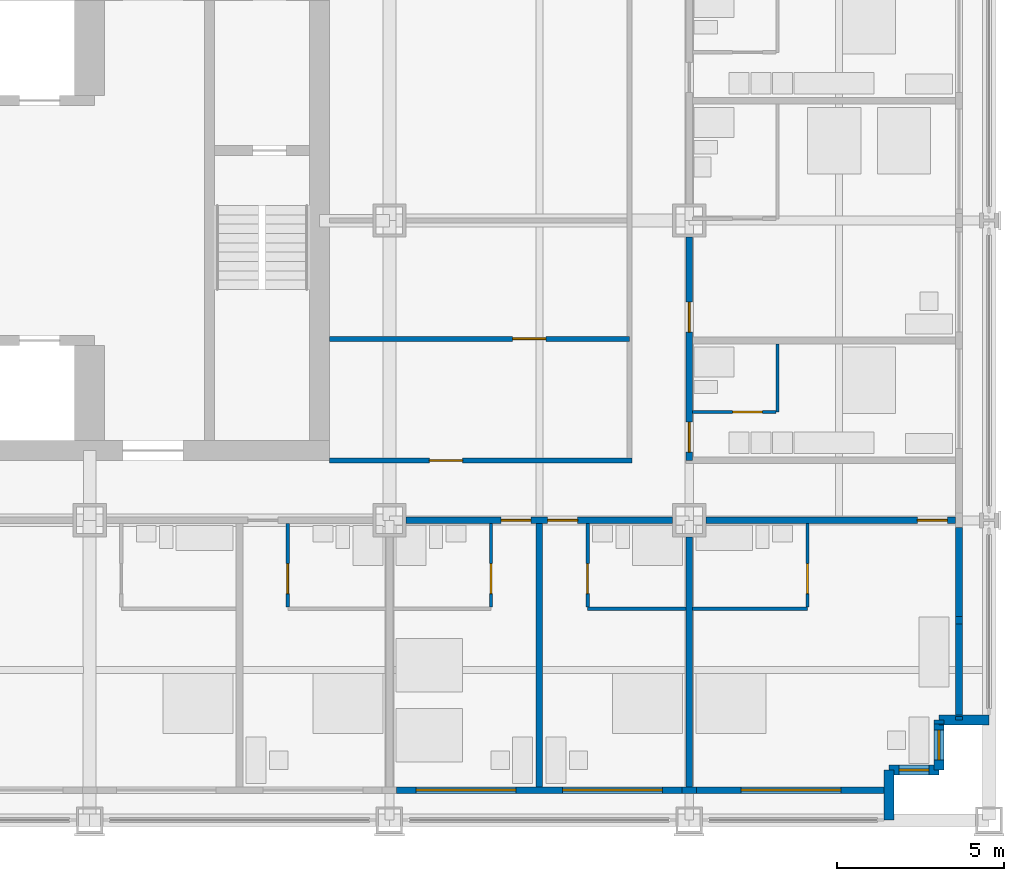
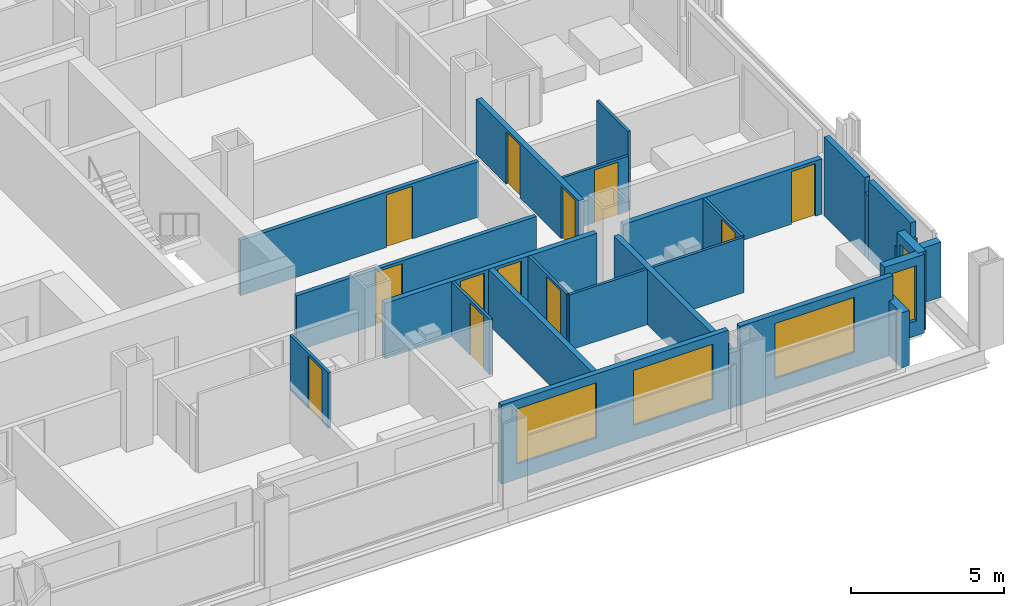
# One storey, part 13 of 19: 27 walls, 12 doors, 5 windows, 17 openings.
"""IFC4 building model written with IfcOpenShell, lengths in metres."""

from ifc_helpers import new_model, si_unit, direction, frame, frame_2d, origin, place, context, subcontext, project, spatial, rectangle, extrude, material, layer, layer_set, type_object, element, fill, save


model = new_model("IFC4")

# Units and contexts
model_context = context("Model", 3, precision=1e-05, world=origin(), true_north=direction((0.0, 1.0)))
body_context = subcontext(model_context, "Body", "Model", "MODEL_VIEW")
ifc_project = project(units=[si_unit("LENGTHUNIT", "METRE"), si_unit("AREAUNIT", "SQUARE_METRE"), si_unit("VOLUMEUNIT", "CUBIC_METRE"), si_unit("PLANEANGLEUNIT", "RADIAN"), si_unit("MASSUNIT", "GRAM", prefix="KILO")], contexts=[model_context])

# Site, building, storey
site_placement = place(None, origin())
site = spatial("IfcSite", under=ifc_project, at=site_placement, CompositionType="ELEMENT")
building_placement = place(site_placement, origin())
building = spatial("IfcBuilding", under=site, at=building_placement, Name="Loomwork Tower", CompositionType="ELEMENT")
storey_placement = place(building_placement, frame((0.0, 0.0, 85.800048828125)))
storey = spatial("IfcBuildingStorey", under=building, at=storey_placement, Name="L22", CompositionType="ELEMENT", Elevation=85.800048828125)

# Wall, openings, doors
ifc_material_1 = material(Name="Gypsum board on steel studs, one-hour", Category="steel")
ifc_layer_1 = layer(ifc_material_1, 0.199951171875)
ifc_layer_set_1 = layer_set([ifc_layer_1], Name="Corridor wall 200")
wall_type_1 = type_object("IfcWallType", Name="Corridor wall 200", PredefinedType="PARTITIONING", material=ifc_layer_set_1)
wall_1_placement = place(storey_placement, frame((36.5, 9.0, 0.0), z_axis=(0.0, 0.0, 1.0), x_axis=(1.0, 0.0, 0.0)))
wall_1 = element("IfcWall", 1, at=wall_1_placement, inside=storey, type_object=wall_type_1, Name="South corridor wall 5", PredefinedType="PARTITIONING", context=body_context, shape_type="SweptSolid", body=[
    extrude(rectangle(XDim=8.0, YDim=0.199951171875, at=frame_2d((4.0, 0.0))), origin(), (0.0, 0.0, 1.0), 2.210205078125),
])
opening_1_placement = place(wall_1_placement, frame((2.85009765625, 0.0, 0.0)))
opening_1 = element("IfcOpeningElement", 2, at=opening_1_placement, cuts=wall_1, Name="Opening D1", PredefinedType="OPENING", context=body_context, shape_type="SweptSolid", body=[
    extrude(rectangle(XDim=0.89990234375, YDim=2.10009765625, at=frame_2d((0.449951171875, 1.050048828125))), frame((0.0, 0.10986328125, 0.0), z_axis=(0.0, -1.0, 0.0), x_axis=(1.0, 0.0, 0.0)), (0.0, 0.0, 1.0), 0.219970703125),
])
opening_2_placement = place(wall_1_placement, frame((4.25, 0.0, 0.0)))
opening_2 = element("IfcOpeningElement", 3, at=opening_2_placement, cuts=wall_1, Name="Opening D1", PredefinedType="OPENING", context=body_context, shape_type="SweptSolid", body=[
    extrude(rectangle(XDim=0.89990234375, YDim=2.10009765625, at=frame_2d((0.449951171875, 1.050048828125))), frame((0.0, 0.10986328125, 0.0), z_axis=(0.0, -1.0, 0.0), x_axis=(1.0, 0.0, 0.0)), (0.0, 0.0, 1.0), 0.219970703125),
])
ifc_material_2 = material(Name="Hollow metal door and frame")
door_type_1 = type_object("IfcDoorType", Name="Guest room entry door 900", OperationType="SINGLE_SWING_LEFT", PredefinedType="DOOR", material=ifc_material_2)
door_1_placement = place(opening_1_placement, frame((0.89990234375, 0.0, 0.0), z_axis=(0.0, 0.0, 1.0), x_axis=(-1.0, 0.0, 0.0)))
door_1 = element("IfcDoor", 4, at=door_1_placement, inside=storey, type_object=door_type_1, Name="Guest room entry door L22 7", OperationType="SINGLE_SWING_LEFT", OverallHeight=2.10009765625, OverallWidth=0.89990234375, PredefinedType="DOOR", context=body_context, shape_type="SweptSolid", body=[
    extrude(rectangle(XDim=0.89990234375, YDim=2.10009765625, at=frame_2d((0.449951171875, 1.050048828125))), frame((0.0, 0.02490234375, 0.0), z_axis=(0.0, -1.0, 0.0), x_axis=(1.0, 0.0, 0.0)), (0.0, 0.0, 1.0), 0.050048828125),
])
fill(opening_1, door_1)
door_2_placement = place(opening_2_placement, frame((0.89990234375, 0.0, 0.0), z_axis=(0.0, 0.0, 1.0), x_axis=(-1.0, 0.0, 0.0)))
door_2 = element("IfcDoor", 5, at=door_2_placement, inside=storey, type_object=door_type_1, Name="Guest room entry door L22 8", OperationType="SINGLE_SWING_RIGHT", OverallHeight=2.10009765625, OverallWidth=0.89990234375, PredefinedType="DOOR", context=body_context, shape_type="SweptSolid", body=[
    extrude(rectangle(XDim=0.89990234375, YDim=2.10009765625, at=frame_2d((0.449951171875, 1.050048828125))), frame((0.0, 0.02490234375, 0.0), z_axis=(0.0, -1.0, 0.0), x_axis=(1.0, 0.0, 0.0)), (0.0, 0.0, 1.0), 0.050048828125),
])
fill(opening_2, door_2)

# Wall, opening, door
wall_2_placement = place(storey_placement, frame((45.5, 9.0, 0.0), z_axis=(0.0, 0.0, 1.0), x_axis=(1.0, 0.0, 0.0)))
wall_2 = element("IfcWall", 6, at=wall_2_placement, inside=storey, type_object=wall_type_1, Name="South corridor wall 6", PredefinedType="PARTITIONING", context=body_context, shape_type="SweptSolid", body=[
    extrude(rectangle(XDim=7.5, YDim=0.199951171875, at=frame_2d((3.75, 0.0))), origin(), (0.0, 0.0, 1.0), 2.210205078125),
])
opening_3_placement = place(wall_2_placement, frame((6.35009765625, 0.0, 0.0)))
opening_3 = element("IfcOpeningElement", 7, at=opening_3_placement, cuts=wall_2, Name="Opening D1", PredefinedType="OPENING", context=body_context, shape_type="SweptSolid", body=[
    extrude(rectangle(XDim=0.89990234375, YDim=2.10009765625, at=frame_2d((0.449951171875, 1.050048828125))), frame((0.0, 0.10986328125, 0.0), z_axis=(0.0, -1.0, 0.0), x_axis=(1.0, 0.0, 0.0)), (0.0, 0.0, 1.0), 0.219970703125),
])
door_3_placement = place(opening_3_placement, frame((0.89990234375, 0.0, 0.0), z_axis=(0.0, 0.0, 1.0), x_axis=(-1.0, 0.0, 0.0)))
door_3 = element("IfcDoor", 8, at=door_3_placement, inside=storey, type_object=door_type_1, Name="Guest room entry door L22 9", OperationType="SINGLE_SWING_LEFT", OverallHeight=2.10009765625, OverallWidth=0.89990234375, PredefinedType="DOOR", context=body_context, shape_type="SweptSolid", body=[
    extrude(rectangle(XDim=0.89990234375, YDim=2.10009765625, at=frame_2d((0.449951171875, 1.050048828125))), frame((0.0, 0.02490234375, 0.0), z_axis=(0.0, -1.0, 0.0), x_axis=(1.0, 0.0, 0.0)), (0.0, 0.0, 1.0), 0.050048828125),
])
fill(opening_3, door_3)

# Wall, openings, doors
wall_3_placement = place(storey_placement, frame((45.0, 10.800048828125, 0.0), z_axis=(0.0, 0.0, 1.0), x_axis=(0.0, 1.0, 0.0)))
wall_3 = element("IfcWall", 9, at=wall_3_placement, inside=storey, type_object=wall_type_1, Name="East corridor wall 1", PredefinedType="PARTITIONING", context=body_context, shape_type="SweptSolid", body=[
    extrude(rectangle(XDim=6.699951171875, YDim=0.199951171875, at=frame_2d((3.35009765625, 0.0))), origin(), (0.0, 0.0, 1.0), 2.210205078125),
])
opening_4_placement = place(wall_3_placement, frame((0.25, 0.0, 0.0)))
opening_4 = element("IfcOpeningElement", 10, at=opening_4_placement, cuts=wall_3, Name="Opening D1", PredefinedType="OPENING", context=body_context, shape_type="SweptSolid", body=[
    extrude(rectangle(XDim=0.89990234375, YDim=2.10009765625, at=frame_2d((0.449951171875, 1.050048828125))), frame((0.0, 0.10986328125, 0.0), z_axis=(0.0, -1.0, 0.0), x_axis=(1.0, 0.0, 0.0)), (0.0, 0.0, 1.0), 0.219970703125),
])
opening_5_placement = place(wall_3_placement, frame((3.85009765625, 0.0, 0.0)))
opening_5 = element("IfcOpeningElement", 11, at=opening_5_placement, cuts=wall_3, Name="Opening D1", PredefinedType="OPENING", context=body_context, shape_type="SweptSolid", body=[
    extrude(rectangle(XDim=0.89990234375, YDim=2.10009765625, at=frame_2d((0.449951171875, 1.050048828125))), frame((0.0, 0.10986328125, 0.0), z_axis=(0.0, -1.0, 0.0), x_axis=(1.0, 0.0, 0.0)), (0.0, 0.0, 1.0), 0.219970703125),
])
door_4_placement = place(opening_4_placement, frame((0.89990234375, 0.0, 0.0), z_axis=(0.0, 0.0, 1.0), x_axis=(-1.0, 0.0, 0.0)))
door_4 = element("IfcDoor", 12, at=door_4_placement, inside=storey, type_object=door_type_1, Name="Guest room entry door L22 21", OperationType="SINGLE_SWING_RIGHT", OverallHeight=2.10009765625, OverallWidth=0.89990234375, PredefinedType="DOOR", context=body_context, shape_type="SweptSolid", body=[
    extrude(rectangle(XDim=0.89990234375, YDim=2.10009765625, at=frame_2d((0.449951171875, 1.050048828125))), frame((0.0, 0.02490234375, 0.0), z_axis=(0.0, -1.0, 0.0), x_axis=(1.0, 0.0, 0.0)), (0.0, 0.0, 1.0), 0.050048828125),
])
fill(opening_4, door_4)
door_5_placement = place(opening_5_placement, frame((0.89990234375, 0.0, 0.0), z_axis=(0.0, 0.0, 1.0), x_axis=(-1.0, 0.0, 0.0)))
door_5 = element("IfcDoor", 13, at=door_5_placement, inside=storey, type_object=door_type_1, Name="Guest room entry door L22 22", OperationType="SINGLE_SWING_RIGHT", OverallHeight=2.10009765625, OverallWidth=0.89990234375, PredefinedType="DOOR", context=body_context, shape_type="SweptSolid", body=[
    extrude(rectangle(XDim=0.89990234375, YDim=2.10009765625, at=frame_2d((0.449951171875, 1.050048828125))), frame((0.0, 0.02490234375, 0.0), z_axis=(0.0, -1.0, 0.0), x_axis=(1.0, 0.0, 0.0)), (0.0, 0.0, 1.0), 0.050048828125),
])
fill(opening_5, door_5)

# Wall, opening, door
ifc_material_3 = material(Name="Cement board on steel studs", Category="steel")
ifc_layer_2 = layer(ifc_material_3, 0.10009765625)
ifc_layer_set_2 = layer_set([ifc_layer_2], Name="En-suite partition 100")
wall_type_2 = type_object("IfcWallType", Name="En-suite partition 100", PredefinedType="PARTITIONING", material=ifc_layer_set_2)
wall_4_placement = place(storey_placement, frame((32.949951171875, 8.89990234375, 0.0), z_axis=(0.0, 0.0, 1.0), x_axis=(0.0, -1.0, 0.0)))
wall_4 = element("IfcWall", 14, at=wall_4_placement, inside=storey, type_object=wall_type_2, Name="En-suite side wall L22 room 6", PredefinedType="PARTITIONING", context=body_context, shape_type="SweptSolid", body=[
    extrude(rectangle(XDim=2.5, YDim=0.10009765625, at=frame_2d((1.25, 0.0))), origin(), (0.0, 0.0, 1.0), 2.2099609375),
])
opening_6_placement = place(wall_4_placement, frame((1.199951171875, 0.0, 0.0)))
opening_6 = element("IfcOpeningElement", 15, at=opening_6_placement, cuts=wall_4, Name="Opening D2", PredefinedType="OPENING", context=body_context, shape_type="SweptSolid", body=[
    extrude(rectangle(XDim=0.89990234375, YDim=2.10009765625, at=frame_2d((0.449951171875, 1.050048828125))), frame((0.0, 0.06005859375, 0.0), z_axis=(0.0, -1.0, 0.0), x_axis=(1.0, 0.0, 0.0)), (0.0, 0.0, 1.0), 0.1201171875),
])
ifc_material_4 = material(Name="Hollow metal door and frame")
door_type_2 = type_object("IfcDoorType", Name="En-suite door 900", OperationType="SINGLE_SWING_LEFT", PredefinedType="DOOR", material=ifc_material_4)
door_6_placement = place(opening_6_placement, origin())
door_6 = element("IfcDoor", 16, at=door_6_placement, inside=storey, type_object=door_type_2, Name="En-suite door room 6", OperationType="SINGLE_SWING_RIGHT", OverallHeight=2.10009765625, OverallWidth=0.89990234375, PredefinedType="DOOR", context=body_context, shape_type="SweptSolid", body=[
    extrude(rectangle(XDim=0.89990234375, YDim=2.10009765625, at=frame_2d((0.449951171875, 1.050048828125))), frame((0.0, 0.02490234375, 0.0), z_axis=(0.0, -1.0, 0.0), x_axis=(1.0, 0.0, 0.0)), (0.0, 0.0, 1.0), 0.050048828125),
])
fill(opening_6, door_6)

wall_5_placement = place(storey_placement, frame((39.050048828125, 8.89990234375, 0.0), z_axis=(0.0, 0.0, 1.0), x_axis=(0.0, -1.0, 0.0)))
wall_5 = element("IfcWall", 17, at=wall_5_placement, inside=storey, type_object=wall_type_2, Name="En-suite side wall L22 room 7", PredefinedType="PARTITIONING", context=body_context, shape_type="SweptSolid", body=[
    extrude(rectangle(XDim=2.5, YDim=0.10009765625, at=frame_2d((1.25, 0.0))), origin(), (0.0, 0.0, 1.0), 2.2099609375),
])
opening_7_placement = place(wall_5_placement, frame((1.199951171875, 0.0, 0.0)))
opening_7 = element("IfcOpeningElement", 18, at=opening_7_placement, cuts=wall_5, Name="Opening D2", PredefinedType="OPENING", context=body_context, shape_type="SweptSolid", body=[
    extrude(rectangle(XDim=0.89990234375, YDim=2.10009765625, at=frame_2d((0.449951171875, 1.050048828125))), frame((0.0, 0.06005859375, 0.0), z_axis=(0.0, -1.0, 0.0), x_axis=(1.0, 0.0, 0.0)), (0.0, 0.0, 1.0), 0.1201171875),
])
door_7_placement = place(opening_7_placement, frame((0.89990234375, 0.0, 0.0), z_axis=(0.0, 0.0, 1.0), x_axis=(-1.0, 0.0, 0.0)))
door_7 = element("IfcDoor", 19, at=door_7_placement, inside=storey, type_object=door_type_2, Name="En-suite door room 7", OperationType="SINGLE_SWING_LEFT", OverallHeight=2.10009765625, OverallWidth=0.89990234375, PredefinedType="DOOR", context=body_context, shape_type="SweptSolid", body=[
    extrude(rectangle(XDim=0.89990234375, YDim=2.10009765625, at=frame_2d((0.449951171875, 1.050048828125))), frame((0.0, 0.02490234375, 0.0), z_axis=(0.0, -1.0, 0.0), x_axis=(1.0, 0.0, 0.0)), (0.0, 0.0, 1.0), 0.050048828125),
])
fill(opening_7, door_7)

# Wall
wall_6_placement = place(storey_placement, frame((41.949951171875, 6.35009765625, 0.0), z_axis=(0.0, 0.0, 1.0), x_axis=(1.0, 0.0, 0.0)))
element("IfcWall", 20, at=wall_6_placement, inside=storey, type_object=wall_type_2, Name="En-suite wall L22 room 8", PredefinedType="PARTITIONING", context=body_context, shape_type="SweptSolid", body=[
    extrude(rectangle(XDim=2.949951171875, YDim=0.10009765625, at=frame_2d((1.47509765625, 0.0))), origin(), (0.0, 0.0, 1.0), 2.2099609375),
])

# Wall, opening, door
wall_7_placement = place(storey_placement, frame((41.949951171875, 8.89990234375, 0.0), z_axis=(0.0, 0.0, 1.0), x_axis=(0.0, -1.0, 0.0)))
wall_7 = element("IfcWall", 21, at=wall_7_placement, inside=storey, type_object=wall_type_2, Name="En-suite side wall L22 room 8", PredefinedType="PARTITIONING", context=body_context, shape_type="SweptSolid", body=[
    extrude(rectangle(XDim=2.5, YDim=0.10009765625, at=frame_2d((1.25, 0.0))), origin(), (0.0, 0.0, 1.0), 2.2099609375),
])
opening_8_placement = place(wall_7_placement, frame((1.199951171875, 0.0, 0.0)))
opening_8 = element("IfcOpeningElement", 22, at=opening_8_placement, cuts=wall_7, Name="Opening D3", PredefinedType="OPENING", context=body_context, shape_type="SweptSolid", body=[
    extrude(rectangle(XDim=0.89990234375, YDim=2.10009765625, at=frame_2d((0.449951171875, 1.050048828125))), frame((0.0, 0.06005859375, 0.0), z_axis=(0.0, -1.0, 0.0), x_axis=(1.0, 0.0, 0.0)), (0.0, 0.0, 1.0), 0.1201171875),
])
ifc_material_5 = material(Name="Hollow metal door and frame")
door_type_3 = type_object("IfcDoorType", Name="Accessible en-suite door 900", OperationType="SLIDING_TO_LEFT", PredefinedType="DOOR", material=ifc_material_5)
door_8_placement = place(opening_8_placement, origin())
door_8 = element("IfcDoor", 23, at=door_8_placement, inside=storey, type_object=door_type_3, Name="Accessible en-suite door room 8", OperationType="SLIDING_TO_LEFT", OverallHeight=2.10009765625, OverallWidth=0.89990234375, PredefinedType="DOOR", context=body_context, shape_type="SweptSolid", body=[
    extrude(rectangle(XDim=0.89990234375, YDim=2.10009765625, at=frame_2d((0.449951171875, 1.050048828125))), frame((0.0, 0.02490234375, 0.0), z_axis=(0.0, -1.0, 0.0), x_axis=(1.0, 0.0, 0.0)), (0.0, 0.0, 1.0), 0.050048828125),
])
fill(opening_8, door_8)

# Wall
wall_8_placement = place(storey_placement, frame((45.10009765625, 6.35009765625, 0.0), z_axis=(0.0, 0.0, 1.0), x_axis=(1.0, 0.0, 0.0)))
element("IfcWall", 24, at=wall_8_placement, inside=storey, type_object=wall_type_2, Name="En-suite wall L22 room 9", PredefinedType="PARTITIONING", context=body_context, shape_type="SweptSolid", body=[
    extrude(rectangle(XDim=3.449951171875, YDim=0.10009765625, at=frame_2d((1.72509765625, 0.0))), origin(), (0.0, 0.0, 1.0), 2.2099609375),
])

# Wall, opening, door
wall_9_placement = place(storey_placement, frame((48.550048828125, 8.89990234375, 0.0), z_axis=(0.0, 0.0, 1.0), x_axis=(0.0, -1.0, 0.0)))
wall_9 = element("IfcWall", 25, at=wall_9_placement, inside=storey, type_object=wall_type_2, Name="En-suite side wall L22 room 9", PredefinedType="PARTITIONING", context=body_context, shape_type="SweptSolid", body=[
    extrude(rectangle(XDim=2.5, YDim=0.10009765625, at=frame_2d((1.25, 0.0))), origin(), (0.0, 0.0, 1.0), 2.2099609375),
])
opening_9_placement = place(wall_9_placement, frame((1.199951171875, 0.0, 0.0)))
opening_9 = element("IfcOpeningElement", 26, at=opening_9_placement, cuts=wall_9, Name="Opening D2", PredefinedType="OPENING", context=body_context, shape_type="SweptSolid", body=[
    extrude(rectangle(XDim=0.89990234375, YDim=2.10009765625, at=frame_2d((0.449951171875, 1.050048828125))), frame((0.0, 0.06005859375, 0.0), z_axis=(0.0, -1.0, 0.0), x_axis=(1.0, 0.0, 0.0)), (0.0, 0.0, 1.0), 0.1201171875),
])
door_9_placement = place(opening_9_placement, frame((0.89990234375, 0.0, 0.0), z_axis=(0.0, 0.0, 1.0), x_axis=(-1.0, 0.0, 0.0)))
door_9 = element("IfcDoor", 27, at=door_9_placement, inside=storey, type_object=door_type_2, Name="En-suite door room 9", OperationType="SINGLE_SWING_LEFT", OverallHeight=2.10009765625, OverallWidth=0.89990234375, PredefinedType="DOOR", context=body_context, shape_type="SweptSolid", body=[
    extrude(rectangle(XDim=0.89990234375, YDim=2.10009765625, at=frame_2d((0.449951171875, 1.050048828125))), frame((0.0, 0.02490234375, 0.0), z_axis=(0.0, -1.0, 0.0), x_axis=(1.0, 0.0, 0.0)), (0.0, 0.0, 1.0), 0.050048828125),
])
fill(opening_9, door_9)

# Wall
wall_10_placement = place(storey_placement, frame((47.64990234375, 12.25, 0.0), z_axis=(0.0, 0.0, 1.0), x_axis=(0.0, 1.0, 0.0)))
element("IfcWall", 28, at=wall_10_placement, inside=storey, type_object=wall_type_2, Name="En-suite wall L22 room 21", PredefinedType="PARTITIONING", context=body_context, shape_type="SweptSolid", body=[
    extrude(rectangle(XDim=2.050048828125, YDim=0.10009765625, at=frame_2d((1.02490234375, 0.0))), origin(), (0.0, 0.0, 1.0), 3.14990234375),
])

# Wall, opening, door
wall_11_placement = place(storey_placement, frame((45.10009765625, 12.25, 0.0), z_axis=(0.0, 0.0, 1.0), x_axis=(1.0, 0.0, 0.0)))
wall_11 = element("IfcWall", 29, at=wall_11_placement, inside=storey, type_object=wall_type_2, Name="En-suite side wall L22 room 21", PredefinedType="PARTITIONING", context=body_context, shape_type="SweptSolid", body=[
    extrude(rectangle(XDim=2.5, YDim=0.10009765625, at=frame_2d((1.25, 0.0))), origin(), (0.0, 0.0, 1.0), 2.2099609375),
])
opening_10_placement = place(wall_11_placement, frame((1.199951171875, 0.0, 0.0)))
opening_10 = element("IfcOpeningElement", 30, at=opening_10_placement, cuts=wall_11, Name="Opening D2", PredefinedType="OPENING", context=body_context, shape_type="SweptSolid", body=[
    extrude(rectangle(XDim=0.89990234375, YDim=2.10009765625, at=frame_2d((0.449951171875, 1.050048828125))), frame((0.0, 0.06005859375, 0.0), z_axis=(0.0, -1.0, 0.0), x_axis=(1.0, 0.0, 0.0)), (0.0, 0.0, 1.0), 0.1201171875),
])
door_10_placement = place(opening_10_placement, origin())
door_10 = element("IfcDoor", 31, at=door_10_placement, inside=storey, type_object=door_type_2, Name="En-suite door room 21", OperationType="SINGLE_SWING_RIGHT", OverallHeight=2.10009765625, OverallWidth=0.89990234375, PredefinedType="DOOR", context=body_context, shape_type="SweptSolid", body=[
    extrude(rectangle(XDim=0.89990234375, YDim=2.10009765625, at=frame_2d((0.449951171875, 1.050048828125))), frame((0.0, 0.02490234375, 0.0), z_axis=(0.0, -1.0, 0.0), x_axis=(1.0, 0.0, 0.0)), (0.0, 0.0, 1.0), 0.050048828125),
])
fill(opening_10, door_10)

# Walls
ifc_material_6 = material(Name="Gypsum board on steel studs, acoustic", Category="steel")
ifc_layer_3 = layer(ifc_material_6, 0.199951171875)
ifc_layer_set_3 = layer_set([ifc_layer_3], Name="Guest room party wall 200")
wall_type_3 = type_object("IfcWallType", Name="Guest room party wall 200", PredefinedType="PARTITIONING", material=ifc_layer_set_3)
wall_12_placement = place(storey_placement, frame((40.5, 8.89990234375, 0.0), z_axis=(0.0, 0.0, 1.0), x_axis=(0.0, -1.0, 0.0)))
element("IfcWall", 32, at=wall_12_placement, inside=storey, type_object=wall_type_3, Name="Guest room party wall S 40.5", PredefinedType="PARTITIONING", context=body_context, shape_type="SweptSolid", body=[
    extrude(rectangle(XDim=7.89990234375, YDim=0.199951171875, at=frame_2d((3.949951171875, 0.0))), origin(), (0.0, 0.0, 1.0), 2.2099609375),
])
wall_13_placement = place(storey_placement, frame((45.0, 8.5, 0.0), z_axis=(0.0, 0.0, 1.0), x_axis=(0.0, -1.0, 0.0)))
element("IfcWall", 33, at=wall_13_placement, inside=storey, type_object=wall_type_3, Name="Guest room party wall S 45", PredefinedType="PARTITIONING", context=body_context, shape_type="SweptSolid", body=[
    extrude(rectangle(XDim=7.5, YDim=0.199951171875, at=frame_2d((3.75, 0.0))), origin(), (0.0, 0.0, 1.0), 2.210205078125),
])
ifc_material_7 = material(Name="Insulated steel stud wall with gypsum lining", Category="steel")
ifc_layer_4 = layer(ifc_material_7, 0.199951171875)
ifc_layer_set_4 = layer_set([ifc_layer_4], Name="Inner skin wall 200")
wall_type_4 = type_object("IfcWallType", Name="Inner skin wall 200", PredefinedType="SOLIDWALL", material=ifc_layer_set_4)
wall_14_placement = place(storey_placement, frame((53.10009765625, 3.0, 0.0), z_axis=(0.0, 0.0, 1.0), x_axis=(0.0, 1.0, 0.0)))
element("IfcWall", 34, at=wall_14_placement, inside=storey, type_object=wall_type_4, Name="Inner skin wall E", PredefinedType="SOLIDWALL", context=body_context, shape_type="SweptSolid", body=[
    extrude(rectangle(XDim=0.1162109375, YDim=0.199951171875, at=frame_2d((0.05810546875, 0.0))), origin(), (0.0, 0.0, 1.0), 2.5419921875),
])

# Wall, openings, windows
wall_15_placement = place(storey_placement, frame((36.21533203125, 0.89990234375, 0.0), z_axis=(0.0, 0.0, 1.0), x_axis=(1.0, 0.0, 0.0)))
wall_15 = element("IfcWall", 35, at=wall_15_placement, inside=storey, type_object=wall_type_4, Name="Inner skin wall S bay 9", PredefinedType="SOLIDWALL", context=body_context, shape_type="SweptSolid", body=[
    extrude(rectangle(XDim=8.5693359375, YDim=0.199951171875, at=frame_2d((4.28466796875, 0.0))), origin(), (0.0, 0.0, 1.0), 3.14990234375),
])
opening_11_placement = place(wall_15_placement, frame((0.584716796875, 0.0, 0.60009765625)))
opening_11 = element("IfcOpeningElement", 36, at=opening_11_placement, cuts=wall_15, Name="Opening CH1", PredefinedType="OPENING", context=body_context, shape_type="SweptSolid", body=[
    extrude(rectangle(XDim=3.0, YDim=2.199951171875, at=frame_2d((1.5, 1.10009765625))), frame((0.0, 0.10986328125, 0.0), z_axis=(0.0, -1.0, 0.0), x_axis=(1.0, 0.0, 0.0)), (0.0, 0.0, 1.0), 0.219970703125),
])
opening_12_placement = place(wall_15_placement, frame((4.984619140625, 0.0, 0.60009765625)))
opening_12 = element("IfcOpeningElement", 37, at=opening_12_placement, cuts=wall_15, Name="Opening CH1", PredefinedType="OPENING", context=body_context, shape_type="SweptSolid", body=[
    extrude(rectangle(XDim=3.0, YDim=2.199951171875, at=frame_2d((1.5, 1.10009765625))), frame((0.0, 0.10986328125, 0.0), z_axis=(0.0, -1.0, 0.0), x_axis=(1.0, 0.0, 0.0)), (0.0, 0.0, 1.0), 0.219970703125),
])
ifc_material_8 = material(Name="Aluminium frame with clear insulated glass", Category="aluminium")
window_type_1 = type_object("IfcWindowType", Name="Chicago window 3000", PartitioningType="TRIPLE_PANEL_VERTICAL", PredefinedType="WINDOW", material=ifc_material_8)
window_1_placement = place(opening_11_placement, origin())
window_1 = element("IfcWindow", 38, at=window_1_placement, inside=storey, type_object=window_type_1, Name="Chicago window L22 bay 5", OverallHeight=2.199951171875, OverallWidth=3.0, PartitioningType="TRIPLE_PANEL_VERTICAL", PredefinedType="WINDOW", context=body_context, shape_type="SweptSolid", body=[
    extrude(rectangle(XDim=3.0, YDim=2.199951171875, at=frame_2d((1.5, 1.10009765625))), frame((0.0, 0.030029296875, 0.0), z_axis=(0.0, -1.0, 0.0), x_axis=(1.0, 0.0, 0.0)), (0.0, 0.0, 1.0), 0.06005859375),
])
fill(opening_11, window_1)
window_2_placement = place(opening_12_placement, origin())
window_2 = element("IfcWindow", 39, at=window_2_placement, inside=storey, type_object=window_type_1, Name="Chicago window L22 bay 5", OverallHeight=2.199951171875, OverallWidth=3.0, PartitioningType="TRIPLE_PANEL_VERTICAL", PredefinedType="WINDOW", context=body_context, shape_type="SweptSolid", body=[
    extrude(rectangle(XDim=3.0, YDim=2.199951171875, at=frame_2d((1.5, 1.10009765625))), frame((0.0, 0.030029296875, 0.0), z_axis=(0.0, -1.0, 0.0), x_axis=(1.0, 0.0, 0.0)), (0.0, 0.0, 1.0), 0.06005859375),
])
fill(opening_12, window_2)

# Wall
wall_16_placement = place(storey_placement, frame((44.78466796875, 0.89990234375, 0.0), z_axis=(0.0, 0.0, 1.0), x_axis=(1.0, 0.0, 0.0)))
element("IfcWall", 40, at=wall_16_placement, inside=storey, type_object=wall_type_4, Name="Inner skin wall S bay 10", PredefinedType="SOLIDWALL", context=body_context, shape_type="SweptSolid", body=[
    extrude(rectangle(XDim=0.4306640625, YDim=0.199951171875, at=frame_2d((0.21533203125, 0.0))), origin(), (0.0, 0.0, 1.0), 2.2099609375),
])

# Wall, opening, window
wall_17_placement = place(storey_placement, frame((45.21533203125, 0.89990234375, 0.0), z_axis=(0.0, 0.0, 1.0), x_axis=(1.0, 0.0, 0.0)))
wall_17 = element("IfcWall", 41, at=wall_17_placement, inside=storey, type_object=wall_type_4, Name="Inner skin wall S bay 11", PredefinedType="SOLIDWALL", context=body_context, shape_type="SweptSolid", body=[
    extrude(rectangle(XDim=5.78466796875, YDim=0.199951171875, at=frame_2d((2.892333984375, 0.0))), origin(), (0.0, 0.0, 1.0), 3.14990234375),
])
opening_13_placement = place(wall_17_placement, frame((1.334716796875, 0.0, 0.60009765625)))
opening_13 = element("IfcOpeningElement", 42, at=opening_13_placement, cuts=wall_17, Name="Opening CH1", PredefinedType="OPENING", context=body_context, shape_type="SweptSolid", body=[
    extrude(rectangle(XDim=3.0, YDim=2.199951171875, at=frame_2d((1.5, 1.10009765625))), frame((0.0, 0.10986328125, 0.0), z_axis=(0.0, -1.0, 0.0), x_axis=(1.0, 0.0, 0.0)), (0.0, 0.0, 1.0), 0.219970703125),
])
window_3_placement = place(opening_13_placement, origin())
window_3 = element("IfcWindow", 43, at=window_3_placement, inside=storey, type_object=window_type_1, Name="Chicago window L22 bay 6", OverallHeight=2.199951171875, OverallWidth=3.0, PartitioningType="TRIPLE_PANEL_VERTICAL", PredefinedType="WINDOW", context=body_context, shape_type="SweptSolid", body=[
    extrude(rectangle(XDim=3.0, YDim=2.199951171875, at=frame_2d((1.5, 1.10009765625))), frame((0.0, 0.030029296875, 0.0), z_axis=(0.0, -1.0, 0.0), x_axis=(1.0, 0.0, 0.0)), (0.0, 0.0, 1.0), 0.06005859375),
])
fill(opening_13, window_3)

# Walls
wall_18_placement = place(storey_placement, frame((53.10009765625, 3.1162109375, 0.0), z_axis=(0.0, 0.0, 1.0), x_axis=(0.0, 1.0, 0.0)))
element("IfcWall", 44, at=wall_18_placement, inside=storey, type_object=wall_type_4, Name="Inner skin wall E bay 2", PredefinedType="SOLIDWALL", context=body_context, shape_type="SweptSolid", body=[
    extrude(rectangle(XDim=2.767578125, YDim=0.199951171875, at=frame_2d((1.3837890625, 0.0))), origin(), (0.0, 0.0, 1.0), 3.14990234375),
])
wall_19_placement = place(storey_placement, frame((53.10009765625, 5.8837890625, 0.0), z_axis=(0.0, 0.0, 1.0), x_axis=(0.0, 1.0, 0.0)))
element("IfcWall", 45, at=wall_19_placement, inside=storey, type_object=wall_type_4, Name="Inner skin wall E bay 3", PredefinedType="SOLIDWALL", context=body_context, shape_type="SweptSolid", body=[
    extrude(rectangle(XDim=0.232421875, YDim=0.199951171875, at=frame_2d((0.1162109375, 0.0))), origin(), (0.0, 0.0, 1.0), 2.5419921875),
])
wall_20_placement = place(storey_placement, frame((53.10009765625, 6.1162109375, 0.0), z_axis=(0.0, 0.0, 1.0), x_axis=(0.0, 1.0, 0.0)))
element("IfcWall", 46, at=wall_20_placement, inside=storey, type_object=wall_type_4, Name="Inner skin wall E bay 4", PredefinedType="SOLIDWALL", context=body_context, shape_type="SweptSolid", body=[
    extrude(rectangle(XDim=2.66845703125, YDim=0.199951171875, at=frame_2d((1.334228515625, 0.0))), origin(), (0.0, 0.0, 1.0), 3.14990234375),
])
ifc_material_9 = material(Name="Limestone on concrete masonry", Category="masonry")
ifc_layer_5 = layer(ifc_material_9, 0.300048828125)
ifc_layer_set_5 = layer_set([ifc_layer_5], Name="Limestone corner wall 300")
wall_type_5 = type_object("IfcWallType", Name="Limestone corner wall 300", PredefinedType="SOLIDWALL", material=ifc_layer_set_5)
wall_21_placement = place(storey_placement, frame((51.0, 0.0, 0.0), z_axis=(0.0, 0.0, 1.0), x_axis=(0.0, 1.0, 0.0)))
element("IfcWall", 47, at=wall_21_placement, inside=storey, type_object=wall_type_5, Name="Stone corner wall SE 1", PredefinedType="SOLIDWALL", context=body_context, shape_type="SweptSolid", body=[
    extrude(rectangle(XDim=1.5, YDim=0.300048828125, at=frame_2d((0.75, 0.0))), origin(), (0.0, 0.0, 1.0), 2.201904296875),
])

# Wall, opening, window
wall_22_placement = place(storey_placement, frame((51.0, 1.5, 0.0), z_axis=(0.0, 0.0, 1.0), x_axis=(1.0, 0.0, 0.0)))
wall_22 = element("IfcWall", 48, at=wall_22_placement, inside=storey, type_object=wall_type_5, Name="Stone corner wall SE 2", PredefinedType="SOLIDWALL", context=body_context, shape_type="SweptSolid", body=[
    extrude(rectangle(XDim=1.5, YDim=0.300048828125, at=frame_2d((0.75, 0.0))), origin(), (0.0, 0.0, 1.0), 3.14990234375),
])
opening_14_placement = place(wall_22_placement, frame((0.300048828125, 0.0, 0.60009765625)))
opening_14 = element("IfcOpeningElement", 49, at=opening_14_placement, cuts=wall_22, Name="Opening CH2", PredefinedType="OPENING", context=body_context, shape_type="SweptSolid", body=[
    extrude(rectangle(XDim=0.89990234375, YDim=2.199951171875, at=frame_2d((0.449951171875, 1.10009765625))), frame((0.0, 0.159912109375, 0.0), z_axis=(0.0, -1.0, 0.0), x_axis=(1.0, 0.0, 0.0)), (0.0, 0.0, 1.0), 0.320068359375),
])
ifc_material_10 = material(Name="Aluminium frame with clear insulated glass", Category="aluminium")
window_type_2 = type_object("IfcWindowType", Name="Corner window 900", PartitioningType="SINGLE_PANEL", PredefinedType="WINDOW", material=ifc_material_10)
window_4_placement = place(opening_14_placement, origin())
window_4 = element("IfcWindow", 50, at=window_4_placement, inside=storey, type_object=window_type_2, Name="Corner window SE", OverallHeight=2.199951171875, OverallWidth=0.89990234375, PartitioningType="SINGLE_PANEL", PredefinedType="WINDOW", context=body_context, shape_type="SweptSolid", body=[
    extrude(rectangle(XDim=0.89990234375, YDim=2.199951171875, at=frame_2d((0.449951171875, 1.10009765625))), frame((0.0, 0.030029296875, 0.0), z_axis=(0.0, -1.0, 0.0), x_axis=(1.0, 0.0, 0.0)), (0.0, 0.0, 1.0), 0.06005859375),
])
fill(opening_14, window_4)

wall_23_placement = place(storey_placement, frame((52.5, 1.5, 0.0), z_axis=(0.0, 0.0, 1.0), x_axis=(0.0, 1.0, 0.0)))
wall_23 = element("IfcWall", 51, at=wall_23_placement, inside=storey, type_object=wall_type_5, Name="Stone corner wall SE 3", PredefinedType="SOLIDWALL", context=body_context, shape_type="SweptSolid", body=[
    extrude(rectangle(XDim=1.3837890625, YDim=0.300048828125, at=frame_2d((0.69189453125, 0.0))), origin(), (0.0, 0.0, 1.0), 3.14990234375),
])
opening_15_placement = place(wall_23_placement, frame((0.300048828125, 0.0, 0.60009765625)))
opening_15 = element("IfcOpeningElement", 52, at=opening_15_placement, cuts=wall_23, Name="Opening CH2", PredefinedType="OPENING", context=body_context, shape_type="SweptSolid", body=[
    extrude(rectangle(XDim=0.89990234375, YDim=2.199951171875, at=frame_2d((0.449951171875, 1.10009765625))), frame((0.0, 0.159912109375, 0.0), z_axis=(0.0, -1.0, 0.0), x_axis=(1.0, 0.0, 0.0)), (0.0, 0.0, 1.0), 0.320068359375),
])
window_5_placement = place(opening_15_placement, origin())
window_5 = element("IfcWindow", 53, at=window_5_placement, inside=storey, type_object=window_type_2, Name="Corner window SE", OverallHeight=2.199951171875, OverallWidth=0.89990234375, PartitioningType="SINGLE_PANEL", PredefinedType="WINDOW", context=body_context, shape_type="SweptSolid", body=[
    extrude(rectangle(XDim=0.89990234375, YDim=2.199951171875, at=frame_2d((0.449951171875, 1.10009765625))), frame((0.0, 0.030029296875, 0.0), z_axis=(0.0, -1.0, 0.0), x_axis=(1.0, 0.0, 0.0)), (0.0, 0.0, 1.0), 0.06005859375),
])
fill(opening_15, window_5)

# Walls
wall_24_placement = place(storey_placement, frame((52.5, 3.0, 0.0), z_axis=(0.0, 0.0, 1.0), x_axis=(1.0, 0.0, 0.0)))
element("IfcWall", 54, at=wall_24_placement, inside=storey, type_object=wall_type_5, Name="Stone corner wall SE 4", PredefinedType="SOLIDWALL", context=body_context, shape_type="SweptSolid", body=[
    extrude(rectangle(XDim=1.5, YDim=0.300048828125, at=frame_2d((0.75, 0.0))), origin(), (0.0, 0.0, 1.0), 2.201904296875),
])
wall_25_placement = place(storey_placement, frame((52.5, 2.8837890625, 0.0), z_axis=(0.0, 0.0, 1.0), x_axis=(0.0, 1.0, 0.0)))
element("IfcWall", 55, at=wall_25_placement, inside=storey, type_object=wall_type_5, Name="Stone corner wall SE 3 bay 2", PredefinedType="SOLIDWALL", context=body_context, shape_type="SweptSolid", body=[
    extrude(rectangle(XDim=0.1162109375, YDim=0.300048828125, at=frame_2d((0.05810546875, 0.0))), origin(), (0.0, 0.0, 1.0), 2.5419921875),
])

# Wall, opening, door
ifc_material_11 = material(Name="Gypsum board on steel studs, one-hour", Category="steel")
ifc_layer_6 = layer(ifc_material_11, 0.14990234375)
ifc_layer_set_6 = layer_set([ifc_layer_6], Name="Service partition 150")
wall_type_6 = type_object("IfcWallType", Name="Service partition 150", PredefinedType="PARTITIONING", material=ifc_layer_set_6)
wall_26_placement = place(storey_placement, frame((34.199951171875, 10.800048828125, 0.0), z_axis=(0.0, 0.0, 1.0), x_axis=(1.0, 0.0, 0.0)))
wall_26 = element("IfcWall", 56, at=wall_26_placement, inside=storey, type_object=wall_type_6, Name="Service block wall S", PredefinedType="PARTITIONING", context=body_context, shape_type="SweptSolid", body=[
    extrude(rectangle(XDim=9.074951171875, YDim=0.14990234375, at=frame_2d((4.53759765625, 0.0))), origin(), (0.0, 0.0, 1.0), 2.2099609375),
])
opening_16_placement = place(wall_26_placement, frame((3.0, 0.0, 0.0)))
opening_16 = element("IfcOpeningElement", 57, at=opening_16_placement, cuts=wall_26, Name="Opening D5", PredefinedType="OPENING", context=body_context, shape_type="SweptSolid", body=[
    extrude(rectangle(XDim=1.0, YDim=2.10009765625, at=frame_2d((0.5, 1.050048828125))), frame((0.0, 0.0849609375, 0.0), z_axis=(0.0, -1.0, 0.0), x_axis=(1.0, 0.0, 0.0)), (0.0, 0.0, 1.0), 0.169921875),
])
ifc_material_12 = material(Name="Hollow metal door and frame")
door_type_4 = type_object("IfcDoorType", Name="Service door 1000", OperationType="SINGLE_SWING_LEFT", PredefinedType="DOOR", material=ifc_material_12)
door_11_placement = place(opening_16_placement, origin())
door_11 = element("IfcDoor", 58, at=door_11_placement, inside=storey, type_object=door_type_4, Name="Housekeeping store door", OperationType="SINGLE_SWING_RIGHT", OverallHeight=2.10009765625, OverallWidth=1.0, PredefinedType="DOOR", context=body_context, shape_type="SweptSolid", body=[
    extrude(rectangle(XDim=1.0, YDim=2.10009765625, at=frame_2d((0.5, 1.050048828125))), frame((0.0, 0.02490234375, 0.0), z_axis=(0.0, -1.0, 0.0), x_axis=(1.0, 0.0, 0.0)), (0.0, 0.0, 1.0), 0.050048828125),
])
fill(opening_16, door_11)

wall_27_placement = place(storey_placement, frame((34.199951171875, 14.449951171875, 0.0), z_axis=(0.0, 0.0, 1.0), x_axis=(1.0, 0.0, 0.0)))
wall_27 = element("IfcWall", 59, at=wall_27_placement, inside=storey, type_object=wall_type_6, Name="Housekeeping partition L22", PredefinedType="PARTITIONING", context=body_context, shape_type="SweptSolid", body=[
    extrude(rectangle(XDim=9.0, YDim=0.14990234375, at=frame_2d((4.5, 0.0))), origin(), (0.0, 0.0, 1.0), 2.2099609375),
])
opening_17_placement = place(wall_27_placement, frame((5.5, 0.0, 0.0)))
opening_17 = element("IfcOpeningElement", 60, at=opening_17_placement, cuts=wall_27, Name="Opening D5", PredefinedType="OPENING", context=body_context, shape_type="SweptSolid", body=[
    extrude(rectangle(XDim=1.0, YDim=2.10009765625, at=frame_2d((0.5, 1.050048828125))), frame((0.0, 0.0849609375, 0.0), z_axis=(0.0, -1.0, 0.0), x_axis=(1.0, 0.0, 0.0)), (0.0, 0.0, 1.0), 0.169921875),
])
door_12_placement = place(opening_17_placement, origin())
door_12 = element("IfcDoor", 61, at=door_12_placement, inside=storey, type_object=door_type_4, Name="Guest laundry door", OperationType="SINGLE_SWING_RIGHT", OverallHeight=2.10009765625, OverallWidth=1.0, PredefinedType="DOOR", context=body_context, shape_type="SweptSolid", body=[
    extrude(rectangle(XDim=1.0, YDim=2.10009765625, at=frame_2d((0.5, 1.050048828125))), frame((0.0, 0.02490234375, 0.0), z_axis=(0.0, -1.0, 0.0), x_axis=(1.0, 0.0, 0.0)), (0.0, 0.0, 1.0), 0.050048828125),
])
fill(opening_17, door_12)

save(model, "model.ifc")
